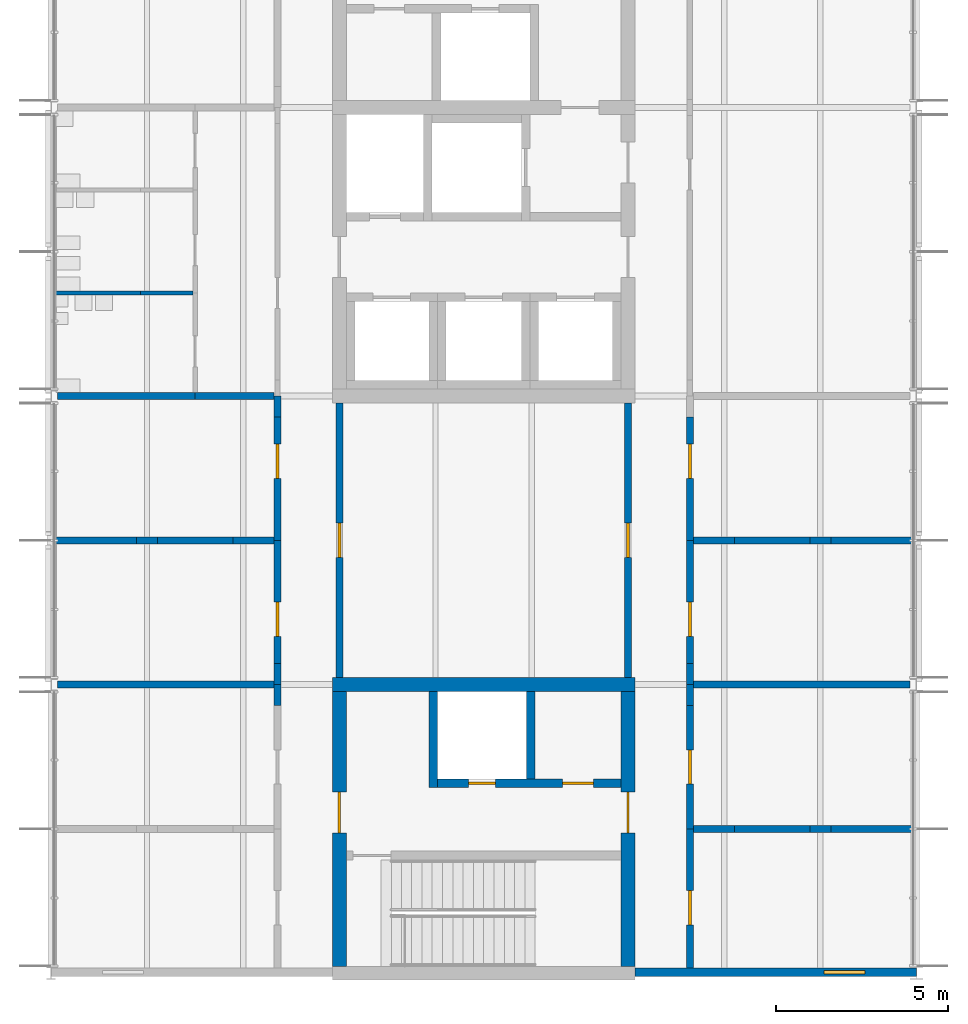
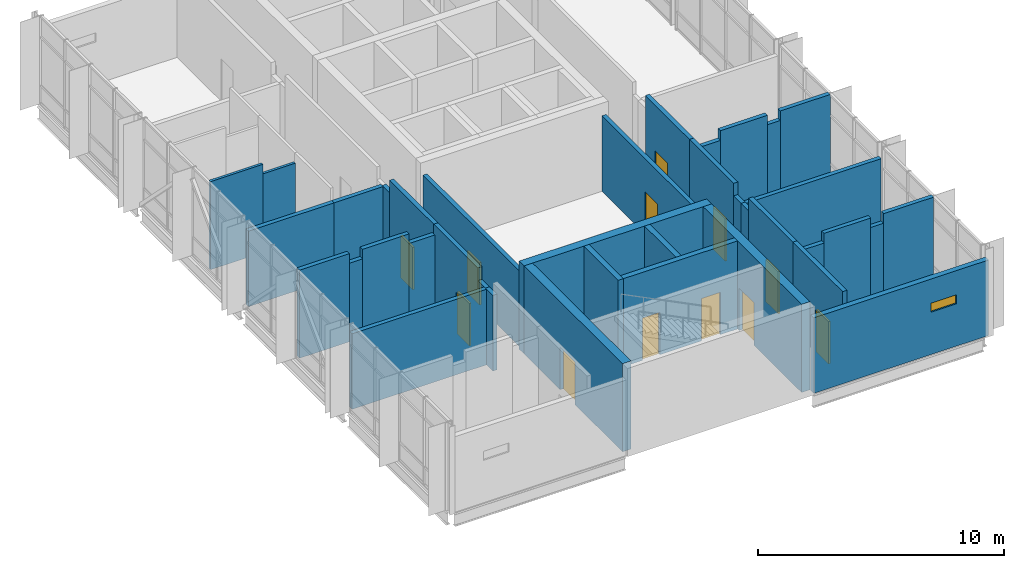
# One storey, part 8 of 15: 38 walls, 12 doors, 1 window, 13 openings.
"""IFC4 building model written with IfcOpenShell, lengths in metres."""

from ifc_helpers import new_model, si_unit, direction, frame, frame_2d, origin, place, context, subcontext, project, spatial, rectangle, extrude, material, layer, layer_set, type_object, element, fill, save


model = new_model("IFC4")

# Units and contexts
model_context = context("Model", 3, precision=1e-05, world=origin(), true_north=direction((0.0, 1.0)))
body_context = subcontext(model_context, "Body", "Model", "MODEL_VIEW")
ifc_project = project(units=[si_unit("LENGTHUNIT", "METRE"), si_unit("AREAUNIT", "SQUARE_METRE"), si_unit("VOLUMEUNIT", "CUBIC_METRE"), si_unit("PLANEANGLEUNIT", "RADIAN"), si_unit("MASSUNIT", "GRAM", prefix="KILO")], contexts=[model_context])

# Site, building, storey
site_placement = place(None, origin())
site = spatial("IfcSite", under=ifc_project, at=site_placement, CompositionType="ELEMENT")
building_placement = place(site_placement, origin())
building = spatial("IfcBuilding", under=site, at=building_placement, Name="Hlaing Beacon Police Headquarters", CompositionType="ELEMENT")
storey_placement = place(building_placement, frame((0.0, 0.0, 32.39990234375)))
storey = spatial("IfcBuildingStorey", under=building, at=storey_placement, Name="L07", CompositionType="ELEMENT", Elevation=32.39990234375)

# Wall
ifc_material_1 = material(Name="Concrete C60/75", Category="concrete")
ifc_layer_1 = layer(ifc_material_1, 0.39990234375)
ifc_layer_set_1 = layer_set([ifc_layer_1], Name="Concrete C60/75")
wall_type_1 = type_object("IfcWallType", Name="Core shear wall 400", PredefinedType="SHEAR", material=ifc_layer_set_1)
wall_1_placement = place(storey_placement, frame((109.0, 42.0, 0.0), z_axis=(0.0, 0.0, 1.0), x_axis=(1.0, 0.0, 0.0)))
element("IfcWall", 1, at=wall_1_placement, inside=storey, type_object=wall_type_1, Name="Core shear wall", PredefinedType="SHEAR", context=body_context, shape_type="SweptSolid", body=[
    extrude(rectangle(XDim=8.800048828125, YDim=0.39990234375, at=frame_2d((4.39990234375, 0.0))), origin(), (0.0, 0.0, 1.0), 4.3701171875),
])

# Wall, opening, door
wall_2_placement = place(storey_placement, frame((109.199951171875, 33.800048828125, 0.0), z_axis=(0.0, 0.0, 1.0), x_axis=(0.0, 1.0, 0.0)))
wall_2 = element("IfcWall", 2, at=wall_2_placement, inside=storey, type_object=wall_type_1, Name="Core shear wall", PredefinedType="SHEAR", context=body_context, shape_type="SweptSolid", body=[
    extrude(rectangle(XDim=8.0, YDim=0.39990234375, at=frame_2d((4.0, 0.0))), origin(), (0.0, 0.0, 1.0), 4.3701171875),
])
opening_1_placement = place(wall_2_placement, frame((3.875, 0.0, 0.0)))
opening_1 = element("IfcOpeningElement", 3, at=opening_1_placement, cuts=wall_2, Name="Opening L07-912", PredefinedType="OPENING", context=body_context, shape_type="SweptSolid", body=[
    extrude(rectangle(XDim=1.199951171875, YDim=2.10009765625, at=frame_2d((0.60009765625, 1.050048828125))), frame((0.0, 0.2099609375, 0.0), z_axis=(0.0, -1.0, 0.0), x_axis=(1.0, 0.0, 0.0)), (0.0, 0.0, 1.0), 0.419921875),
])
ifc_material_2 = material(Name="Steel fire door leaf", Category="steel")
ifc_layer_2 = layer(ifc_material_2, 0.070068359375)
ifc_layer_set_2 = layer_set([ifc_layer_2], Name="Steel fire door leaf")
door_type_1 = type_object("IfcDoorType", Name="Steel fire door FD60S 1200x2100", OperationType="SINGLE_SWING_LEFT", PredefinedType="DOOR", material=ifc_layer_set_2)
door_1_placement = place(opening_1_placement, frame((1.199951171875, 0.0, 0.0), z_axis=(0.0, 0.0, 1.0), x_axis=(-1.0, 0.0, 0.0)))
door_1 = element("IfcDoor", 4, at=door_1_placement, inside=storey, type_object=door_type_1, Name="Door Stair Lobby ST-L Entry", OperationType="SINGLE_SWING_RIGHT", OverallHeight=2.10009765625, OverallWidth=1.199951171875, PredefinedType="DOOR", context=body_context, shape_type="SweptSolid", body=[
    extrude(rectangle(XDim=1.199951171875, YDim=2.10009765625, at=frame_2d((0.599853515625, 1.050048828125))), frame((0.0, 0.034912109375, 0.0), z_axis=(0.0, -1.0, 0.0), x_axis=(1.0, 0.0, 0.0)), (0.0, 0.0, 1.0), 0.070068359375),
])
fill(opening_1, door_1)

wall_3_placement = place(storey_placement, frame((117.60009765625, 33.800048828125, 0.0), z_axis=(0.0, 0.0, 1.0), x_axis=(0.0, 1.0, 0.0)))
wall_3 = element("IfcWall", 5, at=wall_3_placement, inside=storey, type_object=wall_type_1, Name="Core shear wall", PredefinedType="SHEAR", context=body_context, shape_type="SweptSolid", body=[
    extrude(rectangle(XDim=8.0, YDim=0.39990234375, at=frame_2d((4.0, 0.0))), origin(), (0.0, 0.0, 1.0), 4.3701171875),
])
opening_2_placement = place(wall_3_placement, frame((3.875, 0.0, 0.0)))
opening_2 = element("IfcOpeningElement", 6, at=opening_2_placement, cuts=wall_3, Name="Opening L07-913", PredefinedType="OPENING", context=body_context, shape_type="SweptSolid", body=[
    extrude(rectangle(XDim=1.199951171875, YDim=2.10009765625, at=frame_2d((0.60009765625, 1.050048828125))), frame((0.0, 0.2099609375, 0.0), z_axis=(0.0, -1.0, 0.0), x_axis=(1.0, 0.0, 0.0)), (0.0, 0.0, 1.0), 0.419921875),
])
door_2_placement = place(opening_2_placement, origin())
door_2 = element("IfcDoor", 7, at=door_2_placement, inside=storey, type_object=door_type_1, Name="Door Stair Lobby ST-L Entry", OperationType="SINGLE_SWING_LEFT", OverallHeight=2.10009765625, OverallWidth=1.199951171875, PredefinedType="DOOR", context=body_context, shape_type="SweptSolid", body=[
    extrude(rectangle(XDim=1.199951171875, YDim=2.10009765625, at=frame_2d((0.60009765625, 1.050048828125))), frame((0.0, 0.03515625, 0.0), z_axis=(0.0, -1.0, 0.0), x_axis=(1.0, 0.0, 0.0)), (0.0, 0.0, 1.0), 0.070068359375),
])
fill(opening_2, door_2)

ifc_material_3 = material(Name="Concrete blockwork 7.5 N/mm2", Category="masonry")
ifc_layer_3 = layer(ifc_material_3, 0.199951171875)
ifc_layer_set_3 = layer_set([ifc_layer_3], Name="Concrete blockwork 7.5 N/mm2")
wall_type_2 = type_object("IfcWallType", Name="Custody wall EI 60 200", PredefinedType="PARTITIONING", material=ifc_layer_set_3)
wall_4_placement = place(storey_placement, frame((119.39990234375, 33.75, 0.0), z_axis=(0.0, 0.0, 1.0), x_axis=(0.0, 1.0, 0.0)))
wall_4 = element("IfcWall", 8, at=wall_4_placement, inside=storey, type_object=wall_type_2, Name="Custody wall EI 60 200", PredefinedType="PARTITIONING", context=body_context, shape_type="SweptSolid", body=[
    extrude(rectangle(XDim=4.050048828125, YDim=0.199951171875, at=frame_2d((2.02490234375, 0.0))), origin(), (0.0, 0.0, 1.0), 4.3701171875),
])
opening_3_placement = place(wall_4_placement, frame((1.25, 0.0, 0.0)))
opening_3 = element("IfcOpeningElement", 9, at=opening_3_placement, cuts=wall_4, Name="Opening L07-001", PredefinedType="OPENING", context=body_context, shape_type="SweptSolid", body=[
    extrude(rectangle(XDim=1.0, YDim=2.10009765625, at=frame_2d((0.5, 1.050048828125))), frame((0.0, 0.10986328125, 0.0), z_axis=(0.0, -1.0, 0.0), x_axis=(1.0, 0.0, 0.0)), (0.0, 0.0, 1.0), 0.219970703125),
])
ifc_material_4 = material(Name="Steel security door leaf", Category="steel")
ifc_layer_4 = layer(ifc_material_4, 0.090087890625)
ifc_layer_set_4 = layer_set([ifc_layer_4], Name="Steel security door leaf")
door_type_2 = type_object("IfcDoorType", Name="Steel security door FD60 1000x2100", OperationType="SINGLE_SWING_LEFT", PredefinedType="DOOR", material=ifc_layer_set_4)
door_3_placement = place(opening_3_placement, frame((1.0, 0.0, 0.0), z_axis=(0.0, 0.0, 1.0), x_axis=(-1.0, 0.0, 0.0)))
door_3 = element("IfcDoor", 10, at=door_3_placement, inside=storey, type_object=door_type_2, Name="Door Interview Room 5", OperationType="SINGLE_SWING_LEFT", OverallHeight=2.10009765625, OverallWidth=1.0, PredefinedType="DOOR", context=body_context, shape_type="SweptSolid", body=[
    extrude(rectangle(XDim=1.0, YDim=2.10009765625, at=frame_2d((0.5, 1.050048828125))), frame((0.0, 0.045166015625, 0.0), z_axis=(0.0, -1.0, 0.0), x_axis=(1.0, 0.0, 0.0)), (0.0, 0.0, 1.0), 0.090087890625),
])
fill(opening_3, door_3)

wall_5_placement = place(storey_placement, frame((119.39990234375, 37.800048828125, 0.0), z_axis=(0.0, 0.0, 1.0), x_axis=(0.0, 1.0, 0.0)))
wall_5 = element("IfcWall", 11, at=wall_5_placement, inside=storey, type_object=wall_type_2, Name="Custody wall EI 60 200", PredefinedType="PARTITIONING", context=body_context, shape_type="SweptSolid", body=[
    extrude(rectangle(XDim=3.58984375, YDim=0.199951171875, at=frame_2d((1.794921875, 0.0))), origin(), (0.0, 0.0, 1.0), 4.3701171875),
])
opening_4_placement = place(wall_5_placement, frame((1.300048828125, 0.0, 0.0)))
opening_4 = element("IfcOpeningElement", 12, at=opening_4_placement, cuts=wall_5, Name="Opening L07-002", PredefinedType="OPENING", context=body_context, shape_type="SweptSolid", body=[
    extrude(rectangle(XDim=1.0, YDim=2.10009765625, at=frame_2d((0.5, 1.050048828125))), frame((0.0, 0.10986328125, 0.0), z_axis=(0.0, -1.0, 0.0), x_axis=(1.0, 0.0, 0.0)), (0.0, 0.0, 1.0), 0.219970703125),
])
door_4_placement = place(opening_4_placement, frame((1.0, 0.0, 0.0), z_axis=(0.0, 0.0, 1.0), x_axis=(-1.0, 0.0, 0.0)))
door_4 = element("IfcDoor", 13, at=door_4_placement, inside=storey, type_object=door_type_2, Name="Door Interview Room 6", OperationType="SINGLE_SWING_RIGHT", OverallHeight=2.10009765625, OverallWidth=1.0, PredefinedType="DOOR", context=body_context, shape_type="SweptSolid", body=[
    extrude(rectangle(XDim=1.0, YDim=2.10009765625, at=frame_2d((0.5, 1.050048828125))), frame((0.0, 0.045166015625, 0.0), z_axis=(0.0, -1.0, 0.0), x_axis=(1.0, 0.0, 0.0)), (0.0, 0.0, 1.0), 0.090087890625),
])
fill(opening_4, door_4)

# Walls
for number, where, z_axis, x_axis, name in (
    (14, (119.39990234375, 41.389892578125, 0.0), (0.0, 0.0, 1.0), (0.0, 1.0, 0.0), "Custody wall EI 60 200"),
    (15, (119.39990234375, 42.0, 0.0), (0.0, 0.0, 1.0), (0.0, 1.0, 0.0), "Custody wall EI 60 200"),
):
    element("IfcWall", number, at=place(storey_placement, frame(where, z_axis=z_axis, x_axis=x_axis)), inside=storey, type_object=wall_type_2, Name=name, PredefinedType="PARTITIONING", context=body_context, shape_type="SweptSolid", body=[
        extrude(rectangle(XDim=0.610107421875, YDim=0.199951171875, at=frame_2d((0.30517578125, 0.0))), origin(), (0.0, 0.0, 1.0), 3.74609375),
    ])

# Wall, opening, door
wall_6_placement = place(storey_placement, frame((119.39990234375, 42.610107421875, 0.0), z_axis=(0.0, 0.0, 1.0), x_axis=(0.0, 1.0, 0.0)))
wall_6 = element("IfcWall", 16, at=wall_6_placement, inside=storey, type_object=wall_type_2, Name="Custody wall EI 60 200", PredefinedType="PARTITIONING", context=body_context, shape_type="SweptSolid", body=[
    extrude(rectangle(XDim=3.58984375, YDim=0.199951171875, at=frame_2d((1.794921875, 0.0))), origin(), (0.0, 0.0, 1.0), 4.3701171875),
])
opening_5_placement = place(wall_6_placement, frame((0.7900390625, 0.0, 0.0)))
opening_5 = element("IfcOpeningElement", 17, at=opening_5_placement, cuts=wall_6, Name="Opening L07-003", PredefinedType="OPENING", context=body_context, shape_type="SweptSolid", body=[
    extrude(rectangle(XDim=1.0, YDim=2.10009765625, at=frame_2d((0.5, 1.050048828125))), frame((0.0, 0.10986328125, 0.0), z_axis=(0.0, -1.0, 0.0), x_axis=(1.0, 0.0, 0.0)), (0.0, 0.0, 1.0), 0.219970703125),
])
door_5_placement = place(opening_5_placement, frame((1.0, 0.0, 0.0), z_axis=(0.0, 0.0, 1.0), x_axis=(-1.0, 0.0, 0.0)))
door_5 = element("IfcDoor", 18, at=door_5_placement, inside=storey, type_object=door_type_2, Name="Door Interview Room 7", OperationType="SINGLE_SWING_LEFT", OverallHeight=2.10009765625, OverallWidth=1.0, PredefinedType="DOOR", context=body_context, shape_type="SweptSolid", body=[
    extrude(rectangle(XDim=1.0, YDim=2.10009765625, at=frame_2d((0.5, 1.050048828125))), frame((0.0, 0.045166015625, 0.0), z_axis=(0.0, -1.0, 0.0), x_axis=(1.0, 0.0, 0.0)), (0.0, 0.0, 1.0), 0.090087890625),
])
fill(opening_5, door_5)

wall_7_placement = place(storey_placement, frame((119.39990234375, 46.199951171875, 0.0), z_axis=(0.0, 0.0, 1.0), x_axis=(0.0, 1.0, 0.0)))
wall_7 = element("IfcWall", 19, at=wall_7_placement, inside=storey, type_object=wall_type_2, Name="Custody wall EI 60 200", PredefinedType="PARTITIONING", context=body_context, shape_type="SweptSolid", body=[
    extrude(rectangle(XDim=3.590087890625, YDim=0.199951171875, at=frame_2d((1.794921875, 0.0))), origin(), (0.0, 0.0, 1.0), 4.3701171875),
])
opening_6_placement = place(wall_7_placement, frame((1.800048828125, 0.0, 0.0)))
opening_6 = element("IfcOpeningElement", 20, at=opening_6_placement, cuts=wall_7, Name="Opening L07-004", PredefinedType="OPENING", context=body_context, shape_type="SweptSolid", body=[
    extrude(rectangle(XDim=1.0, YDim=2.10009765625, at=frame_2d((0.5, 1.050048828125))), frame((0.0, 0.10986328125, 0.0), z_axis=(0.0, -1.0, 0.0), x_axis=(1.0, 0.0, 0.0)), (0.0, 0.0, 1.0), 0.219970703125),
])
door_6_placement = place(opening_6_placement, frame((1.0, 0.0, 0.0), z_axis=(0.0, 0.0, 1.0), x_axis=(-1.0, 0.0, 0.0)))
door_6 = element("IfcDoor", 21, at=door_6_placement, inside=storey, type_object=door_type_2, Name="Door Interview Room 8", OperationType="SINGLE_SWING_RIGHT", OverallHeight=2.10009765625, OverallWidth=1.0, PredefinedType="DOOR", context=body_context, shape_type="SweptSolid", body=[
    extrude(rectangle(XDim=1.0, YDim=2.10009765625, at=frame_2d((0.5, 1.050048828125))), frame((0.0, 0.045166015625, 0.0), z_axis=(0.0, -1.0, 0.0), x_axis=(1.0, 0.0, 0.0)), (0.0, 0.0, 1.0), 0.090087890625),
])
fill(opening_6, door_6)

wall_8_placement = place(storey_placement, frame((117.60009765625, 42.199951171875, 0.0), z_axis=(0.0, 0.0, 1.0), x_axis=(0.0, 1.0, 0.0)))
wall_8 = element("IfcWall", 22, at=wall_8_placement, inside=storey, type_object=wall_type_2, Name="Custody wall EI 60 200", PredefinedType="PARTITIONING", context=body_context, shape_type="SweptSolid", body=[
    extrude(rectangle(XDim=8.0, YDim=0.199951171875, at=frame_2d((4.0, 0.0))), origin(), (0.0, 0.0, 1.0), 3.74609375),
])
opening_7_placement = place(wall_8_placement, frame((3.5, 0.0, 0.0)))
opening_7 = element("IfcOpeningElement", 23, at=opening_7_placement, cuts=wall_8, Name="Opening L07-007", PredefinedType="OPENING", context=body_context, shape_type="SweptSolid", body=[
    extrude(rectangle(XDim=1.0, YDim=2.10009765625, at=frame_2d((0.5, 1.050048828125))), frame((0.0, 0.10986328125, 0.0), z_axis=(0.0, -1.0, 0.0), x_axis=(1.0, 0.0, 0.0)), (0.0, 0.0, 1.0), 0.219970703125),
])
door_7_placement = place(opening_7_placement, origin())
door_7 = element("IfcDoor", 24, at=door_7_placement, inside=storey, type_object=door_type_2, Name="Door Interview Observation Room", OperationType="SINGLE_SWING_RIGHT", OverallHeight=2.10009765625, OverallWidth=1.0, PredefinedType="DOOR", context=body_context, shape_type="SweptSolid", body=[
    extrude(rectangle(XDim=1.0, YDim=2.10009765625, at=frame_2d((0.5, 1.050048828125))), frame((0.0, 0.044921875, 0.0), z_axis=(0.0, -1.0, 0.0), x_axis=(1.0, 0.0, 0.0)), (0.0, 0.0, 1.0), 0.090087890625),
])
fill(opening_7, door_7)

wall_9_placement = place(storey_placement, frame((109.199951171875, 42.199951171875, 0.0), z_axis=(0.0, 0.0, 1.0), x_axis=(0.0, 1.0, 0.0)))
wall_9 = element("IfcWall", 25, at=wall_9_placement, inside=storey, type_object=wall_type_2, Name="Custody wall EI 60 200", PredefinedType="PARTITIONING", context=body_context, shape_type="SweptSolid", body=[
    extrude(rectangle(XDim=8.0, YDim=0.199951171875, at=frame_2d((4.0, 0.0))), origin(), (0.0, 0.0, 1.0), 3.74609375),
])
opening_8_placement = place(wall_9_placement, frame((3.5, 0.0, 0.0)))
opening_8 = element("IfcOpeningElement", 26, at=opening_8_placement, cuts=wall_9, Name="Opening L07-008", PredefinedType="OPENING", context=body_context, shape_type="SweptSolid", body=[
    extrude(rectangle(XDim=1.0, YDim=2.10009765625, at=frame_2d((0.5, 1.050048828125))), frame((0.0, 0.10986328125, 0.0), z_axis=(0.0, -1.0, 0.0), x_axis=(1.0, 0.0, 0.0)), (0.0, 0.0, 1.0), 0.219970703125),
])
door_8_placement = place(opening_8_placement, frame((1.0, 0.0, 0.0), z_axis=(0.0, 0.0, 1.0), x_axis=(-1.0, 0.0, 0.0)))
door_8 = element("IfcDoor", 27, at=door_8_placement, inside=storey, type_object=door_type_2, Name="Door Interview Observation Room", OperationType="SINGLE_SWING_LEFT", OverallHeight=2.10009765625, OverallWidth=1.0, PredefinedType="DOOR", context=body_context, shape_type="SweptSolid", body=[
    extrude(rectangle(XDim=1.0, YDim=2.10009765625, at=frame_2d((0.5, 1.050048828125))), frame((0.0, 0.045166015625, 0.0), z_axis=(0.0, -1.0, 0.0), x_axis=(1.0, 0.0, 0.0)), (0.0, 0.0, 1.0), 0.090087890625),
])
fill(opening_8, door_8)

# Walls
for number, where, z_axis, x_axis, name in (
    (28, (107.39990234375, 41.389892578125, 0.0), (0.0, 0.0, 1.0), (0.0, 1.0, 0.0), "Custody wall EI 60 200"),
    (29, (107.39990234375, 42.0, 0.0), (0.0, 0.0, 1.0), (0.0, 1.0, 0.0), "Custody wall EI 60 200"),
):
    element("IfcWall", number, at=place(storey_placement, frame(where, z_axis=z_axis, x_axis=x_axis)), inside=storey, type_object=wall_type_2, Name=name, PredefinedType="PARTITIONING", context=body_context, shape_type="SweptSolid", body=[
        extrude(rectangle(XDim=0.610107421875, YDim=0.199951171875, at=frame_2d((0.30517578125, 0.0))), origin(), (0.0, 0.0, 1.0), 3.74609375),
    ])

# Wall, opening, door
wall_10_placement = place(storey_placement, frame((107.39990234375, 42.610107421875, 0.0), z_axis=(0.0, 0.0, 1.0), x_axis=(0.0, 1.0, 0.0)))
wall_10 = element("IfcWall", 30, at=wall_10_placement, inside=storey, type_object=wall_type_2, Name="Custody wall EI 60 200", PredefinedType="PARTITIONING", context=body_context, shape_type="SweptSolid", body=[
    extrude(rectangle(XDim=3.58984375, YDim=0.199951171875, at=frame_2d((1.794921875, 0.0))), origin(), (0.0, 0.0, 1.0), 4.3701171875),
])
opening_9_placement = place(wall_10_placement, frame((0.7900390625, 0.0, 0.0)))
opening_9 = element("IfcOpeningElement", 31, at=opening_9_placement, cuts=wall_10, Name="Opening L07-011", PredefinedType="OPENING", context=body_context, shape_type="SweptSolid", body=[
    extrude(rectangle(XDim=1.0, YDim=2.10009765625, at=frame_2d((0.5, 1.050048828125))), frame((0.0, 0.10986328125, 0.0), z_axis=(0.0, -1.0, 0.0), x_axis=(1.0, 0.0, 0.0)), (0.0, 0.0, 1.0), 0.219970703125),
])
door_9_placement = place(opening_9_placement, origin())
door_9 = element("IfcDoor", 32, at=door_9_placement, inside=storey, type_object=door_type_2, Name="Door Interview Room 3", OperationType="SINGLE_SWING_LEFT", OverallHeight=2.10009765625, OverallWidth=1.0, PredefinedType="DOOR", context=body_context, shape_type="SweptSolid", body=[
    extrude(rectangle(XDim=1.0, YDim=2.10009765625, at=frame_2d((0.5, 1.050048828125))), frame((0.0, 0.044921875, 0.0), z_axis=(0.0, -1.0, 0.0), x_axis=(1.0, 0.0, 0.0)), (0.0, 0.0, 1.0), 0.090087890625),
])
fill(opening_9, door_9)

wall_11_placement = place(storey_placement, frame((107.39990234375, 46.199951171875, 0.0), z_axis=(0.0, 0.0, 1.0), x_axis=(0.0, 1.0, 0.0)))
wall_11 = element("IfcWall", 33, at=wall_11_placement, inside=storey, type_object=wall_type_2, Name="Custody wall EI 60 200", PredefinedType="PARTITIONING", context=body_context, shape_type="SweptSolid", body=[
    extrude(rectangle(XDim=3.590087890625, YDim=0.199951171875, at=frame_2d((1.794921875, 0.0))), origin(), (0.0, 0.0, 1.0), 4.3701171875),
])
opening_10_placement = place(wall_11_placement, frame((1.800048828125, 0.0, 0.0)))
opening_10 = element("IfcOpeningElement", 34, at=opening_10_placement, cuts=wall_11, Name="Opening L07-012", PredefinedType="OPENING", context=body_context, shape_type="SweptSolid", body=[
    extrude(rectangle(XDim=1.0, YDim=2.10009765625, at=frame_2d((0.5, 1.050048828125))), frame((0.0, 0.10986328125, 0.0), z_axis=(0.0, -1.0, 0.0), x_axis=(1.0, 0.0, 0.0)), (0.0, 0.0, 1.0), 0.219970703125),
])
door_10_placement = place(opening_10_placement, origin())
door_10 = element("IfcDoor", 35, at=door_10_placement, inside=storey, type_object=door_type_2, Name="Door Interview Room 4", OperationType="SINGLE_SWING_RIGHT", OverallHeight=2.10009765625, OverallWidth=1.0, PredefinedType="DOOR", context=body_context, shape_type="SweptSolid", body=[
    extrude(rectangle(XDim=1.0, YDim=2.10009765625, at=frame_2d((0.5, 1.050048828125))), frame((0.0, 0.044921875, 0.0), z_axis=(0.0, -1.0, 0.0), x_axis=(1.0, 0.0, 0.0)), (0.0, 0.0, 1.0), 0.090087890625),
])
fill(opening_10, door_10)

# Walls
wall_12_placement = place(storey_placement, frame((107.39990234375, 49.7900390625, 0.0), z_axis=(0.0, 0.0, 1.0), x_axis=(0.0, 1.0, 0.0)))
element("IfcWall", 36, at=wall_12_placement, inside=storey, type_object=wall_type_2, Name="Custody wall EI 60 200", PredefinedType="PARTITIONING", context=body_context, shape_type="SweptSolid", body=[
    extrude(rectangle(XDim=0.60986328125, YDim=0.199951171875, at=frame_2d((0.304931640625, 0.0))), origin(), (0.0, 0.0, 1.0), 3.74609375),
])
wall_13_placement = place(storey_placement, frame((119.5, 37.800048828125, 0.0), z_axis=(0.0, 0.0, 1.0), x_axis=(1.0, 0.0, 0.0)))
element("IfcWall", 37, at=wall_13_placement, inside=storey, type_object=wall_type_2, Name="Custody wall EI 60 200", PredefinedType="PARTITIONING", context=body_context, shape_type="SweptSolid", body=[
    extrude(rectangle(XDim=1.205078125, YDim=0.199951171875, at=frame_2d((0.6025390625, 0.0))), origin(), (0.0, 0.0, 1.0), 3.89501953125),
])
wall_14_placement = place(storey_placement, frame((120.705078125, 37.800048828125, 0.0), z_axis=(0.0, 0.0, 1.0), x_axis=(1.0, 0.0, 0.0)))
element("IfcWall", 38, at=wall_14_placement, inside=storey, type_object=wall_type_2, Name="Custody wall EI 60 200", PredefinedType="PARTITIONING", context=body_context, shape_type="SweptSolid", body=[
    extrude(rectangle(XDim=2.18994140625, YDim=0.199951171875, at=frame_2d((1.094970703125, 0.0))), origin(), (0.0, 0.0, 1.0), 4.3701171875),
])
wall_15_placement = place(storey_placement, frame((122.89501953125, 37.800048828125, 0.0), z_axis=(0.0, 0.0, 1.0), x_axis=(1.0, 0.0, 0.0)))
element("IfcWall", 39, at=wall_15_placement, inside=storey, type_object=wall_type_2, Name="Custody wall EI 60 200", PredefinedType="PARTITIONING", context=body_context, shape_type="SweptSolid", body=[
    extrude(rectangle(XDim=0.60986328125, YDim=0.199951171875, at=frame_2d((0.304931640625, 0.0))), origin(), (0.0, 0.0, 1.0), 3.89501953125),
])
wall_16_placement = place(storey_placement, frame((123.5048828125, 37.800048828125, 0.0), z_axis=(0.0, 0.0, 1.0), x_axis=(1.0, 0.0, 0.0)))
element("IfcWall", 40, at=wall_16_placement, inside=storey, type_object=wall_type_2, Name="Custody wall EI 60 200", PredefinedType="PARTITIONING", context=body_context, shape_type="SweptSolid", body=[
    extrude(rectangle(XDim=2.34521484375, YDim=0.199951171875, at=frame_2d((1.172607421875, 0.0))), origin(), (0.0, 0.0, 1.0), 4.3701171875),
])
wall_17_placement = place(storey_placement, frame((119.5, 42.0, 0.0), z_axis=(0.0, 0.0, 1.0), x_axis=(1.0, 0.0, 0.0)))
element("IfcWall", 41, at=wall_17_placement, inside=storey, type_object=wall_type_2, Name="Custody wall EI 60 200", PredefinedType="PARTITIONING", context=body_context, shape_type="SweptSolid", body=[
    extrude(rectangle(XDim=6.31396484375, YDim=0.199951171875, at=frame_2d((3.156982421875, 0.0))), origin(), (0.0, 0.0, 1.0), 3.74609375),
])
wall_18_placement = place(storey_placement, frame((119.5, 46.199951171875, 0.0), z_axis=(0.0, 0.0, 1.0), x_axis=(1.0, 0.0, 0.0)))
element("IfcWall", 42, at=wall_18_placement, inside=storey, type_object=wall_type_2, Name="Custody wall EI 60 200", PredefinedType="PARTITIONING", context=body_context, shape_type="SweptSolid", body=[
    extrude(rectangle(XDim=1.205078125, YDim=0.199951171875, at=frame_2d((0.6025390625, 0.0))), origin(), (0.0, 0.0, 1.0), 3.89501953125),
])
wall_19_placement = place(storey_placement, frame((120.705078125, 46.199951171875, 0.0), z_axis=(0.0, 0.0, 1.0), x_axis=(1.0, 0.0, 0.0)))
element("IfcWall", 43, at=wall_19_placement, inside=storey, type_object=wall_type_2, Name="Custody wall EI 60 200", PredefinedType="PARTITIONING", context=body_context, shape_type="SweptSolid", body=[
    extrude(rectangle(XDim=2.18994140625, YDim=0.199951171875, at=frame_2d((1.094970703125, 0.0))), origin(), (0.0, 0.0, 1.0), 4.3701171875),
])
wall_20_placement = place(storey_placement, frame((122.89501953125, 46.199951171875, 0.0), z_axis=(0.0, 0.0, 1.0), x_axis=(1.0, 0.0, 0.0)))
element("IfcWall", 44, at=wall_20_placement, inside=storey, type_object=wall_type_2, Name="Custody wall EI 60 200", PredefinedType="PARTITIONING", context=body_context, shape_type="SweptSolid", body=[
    extrude(rectangle(XDim=0.60986328125, YDim=0.199951171875, at=frame_2d((0.304931640625, 0.0))), origin(), (0.0, 0.0, 1.0), 3.89501953125),
])
wall_21_placement = place(storey_placement, frame((123.5048828125, 46.199951171875, 0.0), z_axis=(0.0, 0.0, 1.0), x_axis=(1.0, 0.0, 0.0)))
element("IfcWall", 45, at=wall_21_placement, inside=storey, type_object=wall_type_2, Name="Custody wall EI 60 200", PredefinedType="PARTITIONING", context=body_context, shape_type="SweptSolid", body=[
    extrude(rectangle(XDim=2.34521484375, YDim=0.199951171875, at=frame_2d((1.172607421875, 0.0))), origin(), (0.0, 0.0, 1.0), 4.3701171875),
])
wall_22_placement = place(storey_placement, frame((100.986083984375, 42.0, 0.0), z_axis=(0.0, 0.0, 1.0), x_axis=(1.0, 0.0, 0.0)))
element("IfcWall", 46, at=wall_22_placement, inside=storey, type_object=wall_type_2, Name="Custody wall EI 60 200", PredefinedType="PARTITIONING", context=body_context, shape_type="SweptSolid", body=[
    extrude(rectangle(XDim=6.31396484375, YDim=0.199951171875, at=frame_2d((3.156982421875, 0.0))), origin(), (0.0, 0.0, 1.0), 3.74609375),
])
wall_23_placement = place(storey_placement, frame((100.949951171875, 46.199951171875, 0.0), z_axis=(0.0, 0.0, 1.0), x_axis=(1.0, 0.0, 0.0)))
element("IfcWall", 47, at=wall_23_placement, inside=storey, type_object=wall_type_2, Name="Custody wall EI 60 200", PredefinedType="PARTITIONING", context=body_context, shape_type="SweptSolid", body=[
    extrude(rectangle(XDim=2.344970703125, YDim=0.199951171875, at=frame_2d((1.17236328125, 0.0))), origin(), (0.0, 0.0, 1.0), 4.3701171875),
])
wall_24_placement = place(storey_placement, frame((103.294921875, 46.199951171875, 0.0), z_axis=(0.0, 0.0, 1.0), x_axis=(1.0, 0.0, 0.0)))
element("IfcWall", 48, at=wall_24_placement, inside=storey, type_object=wall_type_2, Name="Custody wall EI 60 200", PredefinedType="PARTITIONING", context=body_context, shape_type="SweptSolid", body=[
    extrude(rectangle(XDim=0.610107421875, YDim=0.199951171875, at=frame_2d((0.30517578125, 0.0))), origin(), (0.0, 0.0, 1.0), 3.89501953125),
])
wall_25_placement = place(storey_placement, frame((103.905029296875, 46.199951171875, 0.0), z_axis=(0.0, 0.0, 1.0), x_axis=(1.0, 0.0, 0.0)))
element("IfcWall", 49, at=wall_25_placement, inside=storey, type_object=wall_type_2, Name="Custody wall EI 60 200", PredefinedType="PARTITIONING", context=body_context, shape_type="SweptSolid", body=[
    extrude(rectangle(XDim=2.18994140625, YDim=0.199951171875, at=frame_2d((1.094970703125, 0.0))), origin(), (0.0, 0.0, 1.0), 4.3701171875),
])
wall_26_placement = place(storey_placement, frame((106.094970703125, 46.199951171875, 0.0), z_axis=(0.0, 0.0, 1.0), x_axis=(1.0, 0.0, 0.0)))
element("IfcWall", 50, at=wall_26_placement, inside=storey, type_object=wall_type_2, Name="Custody wall EI 60 200", PredefinedType="PARTITIONING", context=body_context, shape_type="SweptSolid", body=[
    extrude(rectangle(XDim=1.205078125, YDim=0.199951171875, at=frame_2d((0.6025390625, 0.0))), origin(), (0.0, 0.0, 1.0), 3.89501953125),
])
wall_27_placement = place(storey_placement, frame((105.0, 50.39990234375, 0.0), z_axis=(0.0, 0.0, 1.0), x_axis=(1.0, 0.0, 0.0)))
element("IfcWall", 51, at=wall_27_placement, inside=storey, type_object=wall_type_2, Name="Custody wall EI 60 200", PredefinedType="PARTITIONING", context=body_context, shape_type="SweptSolid", body=[
    extrude(rectangle(XDim=2.300048828125, YDim=0.199951171875, at=frame_2d((1.14990234375, 0.0))), origin(), (0.0, 0.0, 1.0), 3.74609375),
])
wall_28_placement = place(storey_placement, frame((100.986083984375, 50.39990234375, 0.0), z_axis=(0.0, 0.0, 1.0), x_axis=(1.0, 0.0, 0.0)))
element("IfcWall", 52, at=wall_28_placement, inside=storey, type_object=wall_type_2, Name="Custody wall EI 60 200", PredefinedType="PARTITIONING", context=body_context, shape_type="SweptSolid", body=[
    extrude(rectangle(XDim=4.013916015625, YDim=0.199951171875, at=frame_2d((2.0068359375, 0.0))), origin(), (0.0, 0.0, 1.0), 3.74609375),
])
ifc_material_5 = material(Name="Gypsum board partition")
ifc_layer_5 = layer(ifc_material_5, 0.125)
ifc_layer_set_5 = layer_set([ifc_layer_5], Name="Gypsum board partition")
wall_type_3 = type_object("IfcWallType", Name="Partition 125", PredefinedType="PARTITIONING", material=ifc_layer_set_5)
wall_29_placement = place(storey_placement, frame((100.949951171875, 53.39990234375, 0.0), z_axis=(0.0, 0.0, 1.0), x_axis=(1.0, 0.0, 0.0)))
element("IfcWall", 53, at=wall_29_placement, inside=storey, type_object=wall_type_3, Name="Partition 125", PredefinedType="PARTITIONING", context=body_context, shape_type="SweptSolid", body=[
    extrude(rectangle(XDim=2.45703125, YDim=0.125, at=frame_2d((1.228515625, 0.0))), origin(), (0.0, 0.0, 1.0), 4.3701171875),
])
wall_30_placement = place(storey_placement, frame((103.406982421875, 53.39990234375, 0.0), z_axis=(0.0, 0.0, 1.0), x_axis=(1.0, 0.0, 0.0)))
element("IfcWall", 54, at=wall_30_placement, inside=storey, type_object=wall_type_3, Name="Partition 125", PredefinedType="PARTITIONING", context=body_context, shape_type="SweptSolid", body=[
    extrude(rectangle(XDim=1.531005859375, YDim=0.125, at=frame_2d((0.765625, 0.0))), origin(), (0.0, 0.0, 1.0), 3.89501953125),
])

# Wall, opening, window
ifc_material_6 = material(Name="Concrete C40/50 precast ribbed cladding", Category="concrete")
ifc_layer_6 = layer(ifc_material_6, 0.25)
ifc_layer_set_6 = layer_set([ifc_layer_6], Name="Concrete C40/50 precast ribbed cladding")
wall_type_4 = type_object("IfcWallType", Name="Precast ribbed wall 250", PredefinedType="SOLIDWALL", material=ifc_layer_set_6)
wall_31_placement = place(storey_placement, frame((117.800048828125, 33.625, 0.0), z_axis=(0.0, 0.0, 1.0), x_axis=(1.0, 0.0, 0.0)))
wall_31 = element("IfcWall", 55, at=wall_31_placement, inside=storey, type_object=wall_type_4, Name="External wall L07 S004", PredefinedType="SOLIDWALL", context=body_context, shape_type="SweptSolid", body=[
    extrude(rectangle(XDim=8.197265625, YDim=0.25, at=frame_2d((4.0986328125, 0.0))), origin(), (0.0, 0.0, 1.0), 3.74609375),
])
opening_11_placement = place(wall_31_placement, frame((5.5, 0.0, 2.10009765625)))
opening_11 = element("IfcOpeningElement", 56, at=opening_11_placement, cuts=wall_31, Name="Opening WN39", PredefinedType="OPENING", context=body_context, shape_type="SweptSolid", body=[
    extrude(rectangle(XDim=1.199951171875, YDim=0.449951171875, at=frame_2d((0.60009765625, 0.22509765625))), frame((0.0, 0.135009765625, 0.0), z_axis=(0.0, -1.0, 0.0), x_axis=(1.0, 0.0, 0.0)), (0.0, 0.0, 1.0), 0.27001953125),
])
ifc_material_7 = material(Name="Aluminium frame with solar control glazing", Category="aluminium")
window_type = type_object("IfcWindowType", Name="Interview room high window 1200x450 frame 100", PartitioningType="SINGLE_PANEL", PredefinedType="WINDOW", material=ifc_material_7)
window_placement = place(opening_11_placement, origin())
window = element("IfcWindow", 57, at=window_placement, inside=storey, type_object=window_type, Name="Window L07 WI", OverallHeight=0.449951171875, OverallWidth=1.199951171875, PartitioningType="SINGLE_PANEL", PredefinedType="WINDOW", context=body_context, shape_type="SweptSolid", body=[
    extrude(rectangle(XDim=1.199951171875, YDim=0.449951171875, at=frame_2d((0.60009765625, 0.22509765625))), frame((0.0, 0.050048828125, 0.0), z_axis=(0.0, -1.0, 0.0), x_axis=(1.0, 0.0, 0.0)), (0.0, 0.0, 1.0), 0.10009765625),
])
fill(opening_11, window)

# Wall
ifc_material_8 = material(Name="Concrete C40/50", Category="concrete")
ifc_layer_7 = layer(ifc_material_8, 0.25)
ifc_layer_set_7 = layer_set([ifc_layer_7], Name="Concrete C40/50")
wall_type_5 = type_object("IfcWallType", Name="Shaft wall 250", PredefinedType="SOLIDWALL", material=ifc_layer_set_7)
wall_32_placement = place(storey_placement, frame((111.925048828125, 39.0, 0.0), z_axis=(0.0, 0.0, 1.0), x_axis=(0.0, 1.0, 0.0)))
element("IfcWall", 58, at=wall_32_placement, inside=storey, type_object=wall_type_5, Name="Lobby wall", PredefinedType="SOLIDWALL", context=body_context, shape_type="SweptSolid", body=[
    extrude(rectangle(XDim=2.800048828125, YDim=0.25, at=frame_2d((1.39990234375, 0.0))), origin(), (0.0, 0.0, 1.0), 4.3701171875),
])

# Wall, openings, doors
wall_33_placement = place(storey_placement, frame((112.050048828125, 39.125, 0.0), z_axis=(0.0, 0.0, 1.0), x_axis=(1.0, 0.0, 0.0)))
wall_33 = element("IfcWall", 59, at=wall_33_placement, inside=storey, type_object=wall_type_5, Name="Lobby wall", PredefinedType="SOLIDWALL", context=body_context, shape_type="SweptSolid", body=[
    extrude(rectangle(XDim=5.349853515625, YDim=0.25, at=frame_2d((2.6748046875, 0.0))), origin(), (0.0, 0.0, 1.0), 4.3701171875),
])
opening_12_placement = place(wall_33_placement, frame((3.64990234375, 0.0, 0.0)))
opening_12 = element("IfcOpeningElement", 60, at=opening_12_placement, cuts=wall_33, Name="Opening L07-911", PredefinedType="OPENING", context=body_context, shape_type="SweptSolid", body=[
    extrude(rectangle(XDim=0.89990234375, YDim=2.10009765625, at=frame_2d((0.449951171875, 1.050048828125))), frame((0.0, 0.135009765625, 0.0), z_axis=(0.0, -1.0, 0.0), x_axis=(1.0, 0.0, 0.0)), (0.0, 0.0, 1.0), 0.27001953125),
])
opening_13_placement = place(wall_33_placement, frame((0.89990234375, 0.0, 0.0)))
opening_13 = element("IfcOpeningElement", 61, at=opening_13_placement, cuts=wall_33, Name="Opening L07-914", PredefinedType="OPENING", context=body_context, shape_type="SweptSolid", body=[
    extrude(rectangle(XDim=0.800048828125, YDim=2.10009765625, at=frame_2d((0.39990234375, 1.050048828125))), frame((0.0, 0.135009765625, 0.0), z_axis=(0.0, -1.0, 0.0), x_axis=(1.0, 0.0, 0.0)), (0.0, 0.0, 1.0), 0.27001953125),
])
ifc_material_9 = material(Name="Steel fire door leaf", Category="steel")
ifc_layer_8 = layer(ifc_material_9, 0.070068359375)
ifc_layer_set_8 = layer_set([ifc_layer_8], Name="Steel fire door leaf")
door_type_3 = type_object("IfcDoorType", Name="Steel fire door FD60 800x2100", OperationType="SINGLE_SWING_LEFT", PredefinedType="DOOR", material=ifc_layer_set_8)
door_11_placement = place(opening_13_placement, origin())
door_11 = element("IfcDoor", 62, at=door_11_placement, inside=storey, type_object=door_type_3, Name="Door Services Riser", OperationType="SINGLE_SWING_RIGHT", OverallHeight=2.10009765625, OverallWidth=0.800048828125, PredefinedType="DOOR", context=body_context, shape_type="SweptSolid", body=[
    extrude(rectangle(XDim=0.800048828125, YDim=2.10009765625, at=frame_2d((0.39990234375, 1.050048828125))), frame((0.0, 0.03515625, 0.0), z_axis=(0.0, -1.0, 0.0), x_axis=(1.0, 0.0, 0.0)), (0.0, 0.0, 1.0), 0.070068359375),
])
fill(opening_13, door_11)
ifc_material_10 = material(Name="Steel fire door leaf", Category="steel")
ifc_layer_9 = layer(ifc_material_10, 0.070068359375)
ifc_layer_set_9 = layer_set([ifc_layer_9], Name="Steel fire door leaf")
door_type_4 = type_object("IfcDoorType", Name="Steel fire door FD60 900x2100", OperationType="SINGLE_SWING_LEFT", PredefinedType="DOOR", material=ifc_layer_set_9)
door_12_placement = place(opening_12_placement, origin())
door_12 = element("IfcDoor", 63, at=door_12_placement, inside=storey, type_object=door_type_4, Name="Door Cleaners' Store", OperationType="SINGLE_SWING_LEFT", OverallHeight=2.10009765625, OverallWidth=0.89990234375, PredefinedType="DOOR", context=body_context, shape_type="SweptSolid", body=[
    extrude(rectangle(XDim=0.89990234375, YDim=2.10009765625, at=frame_2d((0.449951171875, 1.050048828125))), frame((0.0, 0.03515625, 0.0), z_axis=(0.0, -1.0, 0.0), x_axis=(1.0, 0.0, 0.0)), (0.0, 0.0, 1.0), 0.070068359375),
])
fill(opening_12, door_12)

# Wall
wall_34_placement = place(storey_placement, frame((114.77490234375, 39.25, 0.0), z_axis=(0.0, 0.0, 1.0), x_axis=(0.0, 1.0, 0.0)))
element("IfcWall", 64, at=wall_34_placement, inside=storey, type_object=wall_type_5, Name="Riser wall", PredefinedType="SOLIDWALL", context=body_context, shape_type="SweptSolid", body=[
    extrude(rectangle(XDim=2.550048828125, YDim=0.25, at=frame_2d((1.27490234375, 0.0))), origin(), (0.0, 0.0, 1.0), 4.3701171875),
])

save(model, "model.ifc")
